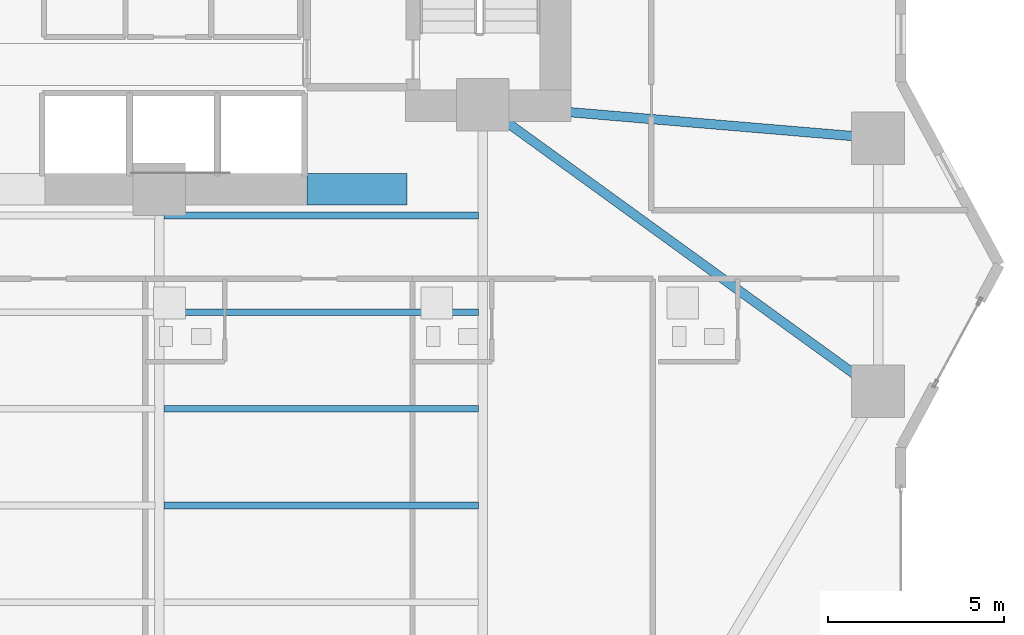
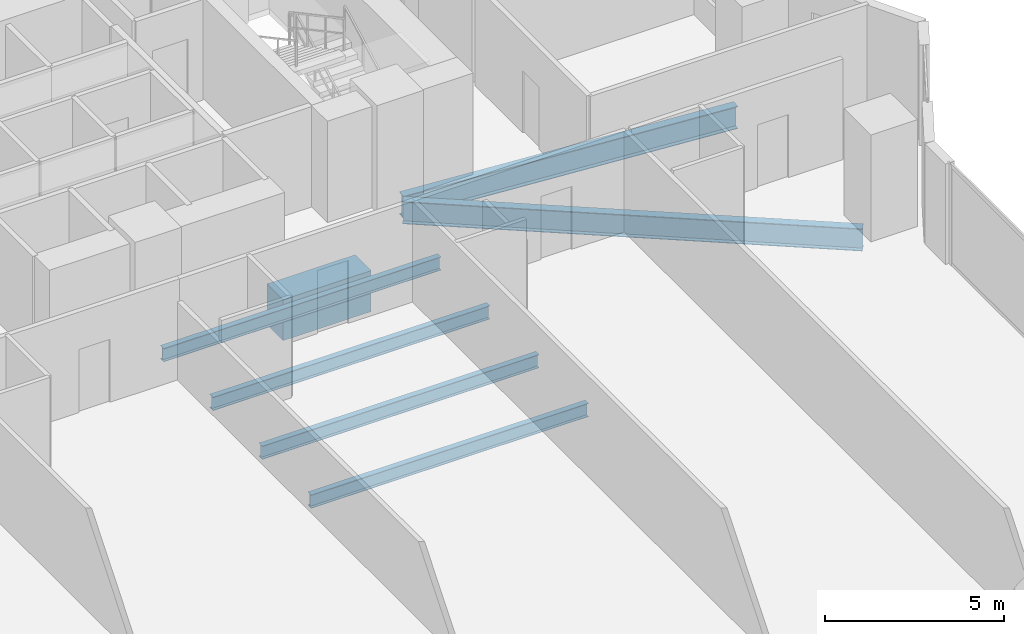
# One storey, part 11 of 28: 7 beams.
"""IFC4 building model written with IfcOpenShell, lengths in metres."""

from ifc_helpers import new_model, si_unit, direction, frame, origin, origin_2d, place, context, subcontext, project, spatial, rectangle, i_section, extrude, material, material_profile, profile_set, type_object, element, save


model = new_model("IFC4")

# Units and contexts
model_context = context("Model", 3, precision=1e-05, world=origin(), true_north=direction((0.0, 1.0)))
body_context = subcontext(model_context, "Body", "Model", "MODEL_VIEW")
ifc_project = project(units=[si_unit("LENGTHUNIT", "METRE"), si_unit("AREAUNIT", "SQUARE_METRE"), si_unit("VOLUMEUNIT", "CUBIC_METRE"), si_unit("PLANEANGLEUNIT", "RADIAN"), si_unit("MASSUNIT", "GRAM", prefix="KILO")], contexts=[model_context])

# Site, building, storey
site_placement = place(None, origin())
site = spatial("IfcSite", under=ifc_project, at=site_placement, CompositionType="ELEMENT")
building_placement = place(site_placement, origin())
building = spatial("IfcBuilding", under=site, at=building_placement, Name="Zuhayl Quay Hotel", CompositionType="ELEMENT")
storey_placement = place(building_placement, frame((0.0, 0.0, 53.14990234375)))
storey = spatial("IfcBuildingStorey", under=building, at=storey_placement, Name="L12", CompositionType="ELEMENT", Elevation=53.14990234375)

# Beams
ifc_material_1 = material(Name="Steel ASTM A992 Grade 50", Category="steel")
ifc_material_profile_1 = material_profile(ifc_material_1, i_section(OverallWidth=0.26708984375, OverallDepth=0.761962890625, WebThickness=0.014404296875, FlangeThickness=0.021484375, at=origin_2d()), Name="W30X116")
ifc_profile_set_1 = profile_set([ifc_material_profile_1], Name="Steel ASTM A992 Grade 50")
beam_type_1 = type_object("IfcBeamType", Name="BM_B1_W30X116", PredefinedType="BEAM", material=ifc_profile_set_1)
beam_1_placement = place(storey_placement, frame((14.164306640625, 4.285888671875, -0.600830078125), z_axis=(0.809830244688, -0.586664277751, 0.0), x_axis=(0.586664277751, 0.809830244688, 0.0)))
element("IfcBeam", 1, at=beam_1_placement, inside=storey, type_object=beam_type_1, Name="L12 Floor Beam FG_E_L12_1", PredefinedType="BEAM", context=body_context, shape_type="SweptSolid", body=[
    extrude(i_section(OverallWidth=0.26708984375, OverallDepth=0.761962890625, WebThickness=0.014404296875, FlangeThickness=0.021484375, at=origin_2d()), origin(), (0.0, 0.0, 1.0), 12.94189453125),
])
beam_2_placement = place(storey_placement, frame((14.248291015625, 4.51220703125, -0.600830078125), z_axis=(0.996453145398, -0.084149444594, 0.0), x_axis=(0.084149444594, 0.996453145398, 0.0)))
element("IfcBeam", 2, at=beam_2_placement, inside=storey, type_object=beam_type_1, Name="L12 Floor Beam FG_E_L12_2", PredefinedType="BEAM", context=body_context, shape_type="SweptSolid", body=[
    extrude(i_section(OverallWidth=0.26708984375, OverallDepth=0.761962890625, WebThickness=0.014404296875, FlangeThickness=0.021484375, at=origin_2d()), origin(), (0.0, 0.0, 1.0), 10.340087890625),
])
ifc_material_2 = material(Name="Concrete C60/75", Category="concrete")
ifc_material_profile_2 = material_profile(ifc_material_2, rectangle(XDim=0.89990234375, YDim=1.39990234375, at=origin_2d()), Name="RC900X1400")
ifc_profile_set_2 = profile_set([ifc_material_profile_2], Name="Concrete C60/75")
beam_type_2 = type_object("IfcBeamType", Name="BM_CB1_RC900", PredefinedType="T_BEAM", material=ifc_profile_set_2)
beam_3_placement = place(storey_placement, frame((8.800048828125, 2.14990234375, -0.919921875), z_axis=(1.0, 0.0, 0.0), x_axis=(0.0, 1.0, 0.0)))
element("IfcBeam", 3, at=beam_3_placement, inside=storey, type_object=beam_type_2, Name="L12 Core Coupling Beam SE", PredefinedType="T_BEAM", context=body_context, shape_type="SweptSolid", body=[
    extrude(rectangle(XDim=0.89990234375, YDim=1.39990234375, at=origin_2d()), origin(), (0.0, 0.0, 1.0), 2.849853515625),
])
ifc_material_profile_3 = material_profile(ifc_material_1, i_section(OverallWidth=0.18994140625, OverallDepth=0.45703125, WebThickness=0.009033203125, FlangeThickness=0.014404296875, at=origin_2d()), Name="W18X50")
ifc_profile_set_3 = profile_set([ifc_material_profile_3], Name="Steel ASTM A992 Grade 50")
beam_type_3 = type_object("IfcBeamType", Name="BM_J2_W18X50", PredefinedType="JOIST", material=ifc_profile_set_3)
for number, where, z_axis, x_axis, name in (
    (4, (4.7255859375, -6.85009765625, -0.448486328125), (1.0, 0.0, 0.0), (0.0, 1.0, 0.0), "L12 Floor Beam FJ_L12_7_3"),
    (5, (4.7255859375, -4.10009765625, -0.448486328125), (1.0, 0.0, 0.0), (0.0, 1.0, 0.0), "L12 Floor Beam FJ_L12_8_3"),
    (6, (4.7255859375, -1.35009765625, -0.448486328125), (1.0, 0.0, 0.0), (0.0, 1.0, 0.0), "L12 Floor Beam FJ_L12_9_3"),
    (7, (4.7255859375, 1.39990234375, -0.448486328125), (1.0, 0.0, 0.0), (0.0, 1.0, 0.0), "L12 Floor Beam FJ_L12_10_3"),
):
    element("IfcBeam", number, at=place(storey_placement, frame(where, z_axis=z_axis, x_axis=x_axis)), inside=storey, type_object=beam_type_3, Name=name, PredefinedType="JOIST", context=body_context, shape_type="SweptSolid", body=[
        extrude(i_section(OverallWidth=0.18994140625, OverallDepth=0.45703125, WebThickness=0.009033203125, FlangeThickness=0.014404296875, at=origin_2d()), origin(), (0.0, 0.0, 1.0), 8.948974609375),
    ])

save(model, "model.ifc")
